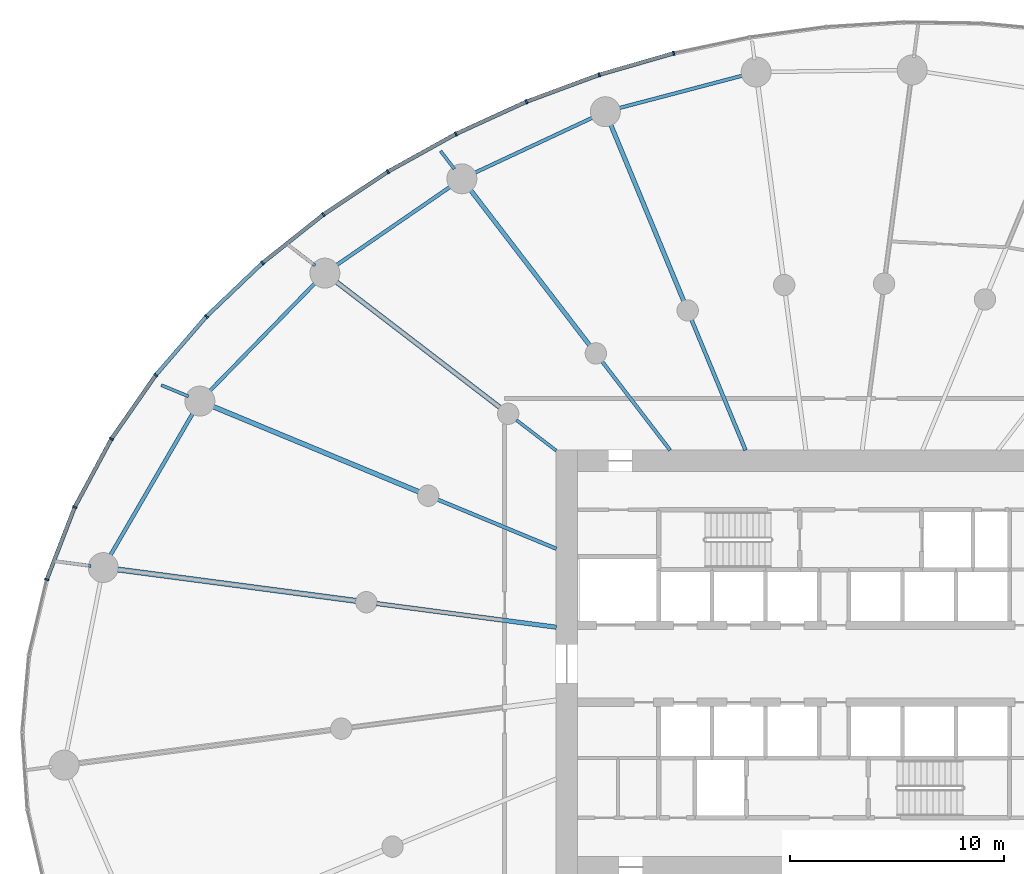
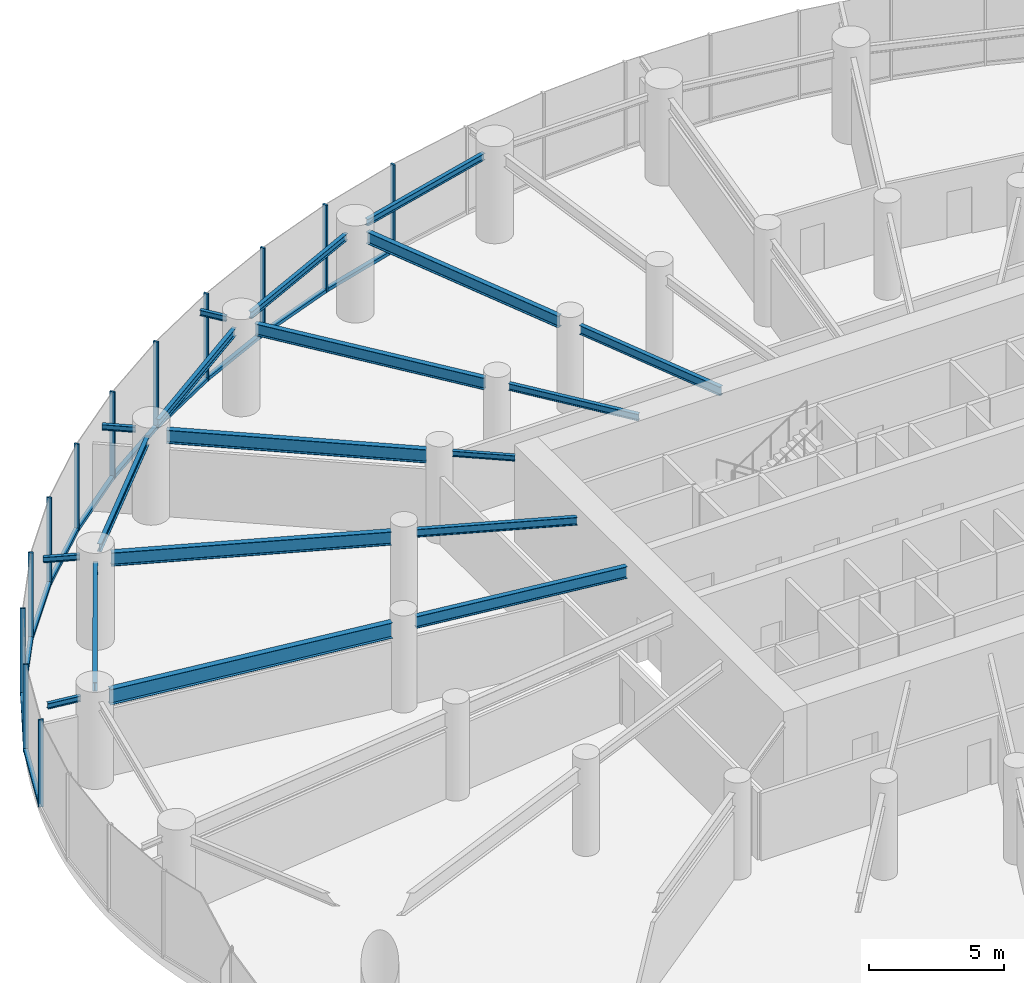
# One storey, part 6 of 18: 23 members, 19 beams, 3 elements without a shape of their own.
"""IFC4 building model written with IfcOpenShell, lengths in metres."""

from ifc_helpers import new_model, si_unit, direction, frame, origin, origin_2d, place, context, subcontext, project, spatial, rectangle, i_section, extrude, source, transform, mapped, material, layer, layer_set, material_profile, profile_set, type_object, element, aggregate, save


model = new_model("IFC4")

# Units and contexts
model_context = context("Model", 3, precision=1e-05, world=origin(), true_north=direction((0.0, 1.0)))
body_context = subcontext(model_context, "Body", "Model", "MODEL_VIEW")
ifc_project = project(units=[si_unit("LENGTHUNIT", "METRE"), si_unit("AREAUNIT", "SQUARE_METRE"), si_unit("VOLUMEUNIT", "CUBIC_METRE"), si_unit("PLANEANGLEUNIT", "RADIAN"), si_unit("MASSUNIT", "GRAM", prefix="KILO")], contexts=[model_context])

# Site, building, storey
site_placement = place(None, origin())
site = spatial("IfcSite", under=ifc_project, at=site_placement, CompositionType="ELEMENT")
building_placement = place(site_placement, origin())
building = spatial("IfcBuilding", under=site, at=building_placement, Name="Spindrift Exchange Tower", CompositionType="ELEMENT")
storey_placement = place(building_placement, frame((0.0, 0.0, 62.199951171875)))
storey = spatial("IfcBuildingStorey", under=building, at=storey_placement, Name="L14", CompositionType="ELEMENT", Elevation=62.199951171875)

# Beams
ifc_material_1 = material(Name="Steel Grade 300", Category="steel")
ifc_material_profile_1 = material_profile(ifc_material_1, i_section(OverallWidth=0.177978515625, OverallDepth=0.406005859375, WebThickness=0.0078125, FlangeThickness=0.0126953125, FilletRadius=0.013916015625, at=origin_2d()), Name="410UB59.7")
ifc_profile_set_1 = profile_set([ifc_material_profile_1], Name="Steel Grade 300")
beam_type_1 = type_object("IfcBeamType", Name="Floor Beam 410UB59.7 Steel Grade 300", PredefinedType="BEAM", material=ifc_profile_set_1)
shared_shape_1 = source(origin(), body_context, "Body", "SweptSolid", [
    extrude(i_section(OverallWidth=0.177978515625, OverallDepth=0.406005859375, WebThickness=0.0078125, FlangeThickness=0.0126953125, FilletRadius=0.013916015625, at=origin_2d()), origin(), (0.0, 0.0, 1.0), 6.594482421875),
])
beam_1_placement = place(storey_placement, frame((47.865478515625, 57.9814453125, 3.7470703125), z_axis=(-0.382692929746, 0.92387559851, 0.0), x_axis=(-0.92387559851, -0.382692929746, 0.0)))
element("IfcBeam", 1, at=beam_1_placement, inside=storey, type_object=beam_type_1, Name="L14 radial beam R08A", PredefinedType="BEAM", context=body_context, shape_type="MappedRepresentation", body=[
    mapped(shared_shape_1, transform((0.0, 0.0, 0.0), scale=1.0)),
])
ifc_material_profile_2 = material_profile(ifc_material_1, i_section(OverallWidth=0.208984375, OverallDepth=0.532958984375, WebThickness=0.01025390625, FlangeThickness=0.015625, FilletRadius=0.013916015625, at=origin_2d()), Name="530UB92.4")
ifc_profile_set_2 = profile_set([ifc_material_profile_2], Name="Steel Grade 300")
beam_type_2 = type_object("IfcBeamType", Name="Floor Beam 530UB92.4 Steel Grade 300", PredefinedType="BEAM", material=ifc_profile_set_2)
shared_shape_2 = source(origin(), body_context, "Body", "SweptSolid", [
    extrude(i_section(OverallWidth=0.208984375, OverallDepth=0.532958984375, WebThickness=0.01025390625, FlangeThickness=0.015625, FilletRadius=0.013916015625, at=origin_2d()), origin(), (0.0, 0.0, 1.0), 8.99658203125),
])
beam_2_placement = place(storey_placement, frame((44.974609375, 64.9609375, 3.68359375), z_axis=(-0.382685731718, 0.923878580085, 0.0), x_axis=(-0.923878580085, -0.382685731718, 0.0)))
element("IfcBeam", 2, at=beam_2_placement, inside=storey, type_object=beam_type_2, Name="L14 radial beam R08B", PredefinedType="BEAM", context=body_context, shape_type="MappedRepresentation", body=[
    mapped(shared_shape_2, transform((0.0, 0.0, 0.0), scale=1.0)),
])
ifc_material_profile_3 = material_profile(ifc_material_1, i_section(OverallWidth=0.1650390625, OverallDepth=0.303955078125, WebThickness=0.006103515625, FlangeThickness=0.01025390625, FilletRadius=0.011474609375, at=origin_2d()), Name="310UB40.4")
ifc_profile_set_3 = profile_set([ifc_material_profile_3], Name="Steel Grade 300")
beam_type_3 = type_object("IfcBeamType", Name="Floor Beam 310UB40.4 Steel Grade 300", PredefinedType="BEAM", material=ifc_profile_set_3)
shared_shape_3 = source(origin(), body_context, "Body", "SweptSolid", [
    extrude(i_section(OverallWidth=0.1650390625, OverallDepth=0.303955078125, WebThickness=0.006103515625, FlangeThickness=0.01025390625, FilletRadius=0.011474609375, at=origin_2d()), origin(), (0.0, 0.0, 1.0), 5.224609375),
])
beam_3_placement = place(storey_placement, frame((44.3388671875, 57.984130859375, 3.798095703125), z_axis=(-0.608741499316, 0.793368632485, 0.0), x_axis=(-0.793368632485, -0.608741499316, 0.0)))
element("IfcBeam", 3, at=beam_3_placement, inside=storey, type_object=beam_type_3, Name="L14 radial beam R09A", PredefinedType="BEAM", context=body_context, shape_type="MappedRepresentation", body=[
    mapped(shared_shape_3, transform((0.0, 0.0, 0.0), scale=1.0)),
])
shared_shape_4 = source(origin(), body_context, "Body", "SweptSolid", [
    extrude(i_section(OverallWidth=0.208984375, OverallDepth=0.532958984375, WebThickness=0.01025390625, FlangeThickness=0.015625, FilletRadius=0.013916015625, at=origin_2d()), origin(), (0.0, 0.0, 1.0), 9.227783203125),
])
beam_4_placement = place(storey_placement, frame((40.573974609375, 62.890625, 3.68359375), z_axis=(-0.608747534474, 0.79336400175, 0.0), x_axis=(-0.79336400175, -0.608747534474, 0.0)))
element("IfcBeam", 4, at=beam_4_placement, inside=storey, type_object=beam_type_2, Name="L14 radial beam R09B", PredefinedType="BEAM", context=body_context, shape_type="MappedRepresentation", body=[
    mapped(shared_shape_4, transform((0.0, 0.0, 0.0), scale=1.0)),
])
ifc_material_profile_4 = material_profile(ifc_material_1, i_section(OverallWidth=0.14599609375, OverallDepth=0.251953125, WebThickness=0.006103515625, FlangeThickness=0.008544921875, FilletRadius=0.011962890625, at=origin_2d()), Name="250UB31.4")
ifc_profile_set_4 = profile_set([ifc_material_profile_4], Name="Steel Grade 300")
beam_type_4 = type_object("IfcBeamType", Name="Floor Beam 250UB31.4 Steel Grade 300", PredefinedType="BEAM", material=ifc_profile_set_4)
shared_shape_5 = source(origin(), body_context, "Body", "SweptSolid", [
    extrude(i_section(OverallWidth=0.14599609375, OverallDepth=0.251953125, WebThickness=0.006103515625, FlangeThickness=0.008544921875, FilletRadius=0.011962890625, at=origin_2d()), origin(), (0.0, 0.0, 1.0), 2.353759765625),
])
beam_5_placement = place(storey_placement, frame((39.015869140625, 57.963134765625, 3.823974609375), z_axis=(-0.793367573265, 0.608742879787, 0.0), x_axis=(-0.608742879787, -0.793367573265, 0.0)))
element("IfcBeam", 5, at=beam_5_placement, inside=storey, type_object=beam_type_4, Name="L14 radial beam R10A", PredefinedType="BEAM", context=body_context, shape_type="MappedRepresentation", body=[
    mapped(shared_shape_5, transform((0.0, 0.0, 0.0), scale=1.0)),
])
ifc_material_profile_5 = material_profile(ifc_material_1, i_section(OverallWidth=0.22802734375, OverallDepth=0.60693359375, WebThickness=0.01123046875, FlangeThickness=0.017333984375, FilletRadius=0.013916015625, at=origin_2d()), Name="610UB113")
ifc_profile_set_5 = profile_set([ifc_material_profile_5], Name="Steel Grade 300")
beam_type_5 = type_object("IfcBeamType", Name="Floor Beam 610UB113 Steel Grade 300", PredefinedType="BEAM", material=ifc_profile_set_5)
shared_shape_6 = source(origin(), body_context, "Body", "SweptSolid", [
    extrude(i_section(OverallWidth=0.22802734375, OverallDepth=0.60693359375, WebThickness=0.01123046875, FlangeThickness=0.017333984375, FilletRadius=0.013916015625, at=origin_2d()), origin(), (0.0, 0.0, 1.0), 9.73974609375),
])
beam_6_placement = place(storey_placement, frame((36.38671875, 59.98046875, 3.646484375), z_axis=(-0.793352119621, 0.608763019814, 0.0), x_axis=(-0.608763019814, -0.793352119621, 0.0)))
element("IfcBeam", 6, at=beam_6_placement, inside=storey, type_object=beam_type_5, Name="L14 radial beam R10B", PredefinedType="BEAM", context=body_context, shape_type="MappedRepresentation", body=[
    mapped(shared_shape_6, transform((0.0, 0.0, 0.0), scale=1.0)),
])
ifc_material_profile_6 = material_profile(ifc_material_1, i_section(OverallWidth=0.172119140625, OverallDepth=0.35888671875, WebThickness=0.008056640625, FlangeThickness=0.012939453125, FilletRadius=0.013916015625, at=origin_2d()), Name="360UB56.7")
ifc_profile_set_6 = profile_set([ifc_material_profile_6], Name="Steel Grade 300")
beam_type_6 = type_object("IfcBeamType", Name="Floor Beam 360UB56.7 Steel Grade 300", PredefinedType="BEAM", material=ifc_profile_set_6)
shared_shape_7 = source(origin(), body_context, "Body", "SweptSolid", [
    extrude(i_section(OverallWidth=0.172119140625, OverallDepth=0.35888671875, WebThickness=0.008056640625, FlangeThickness=0.012939453125, FilletRadius=0.013916015625, at=origin_2d()), origin(), (0.0, 0.0, 1.0), 6.004638671875),
])
beam_7_placement = place(storey_placement, frame((39.0185546875, 53.377197265625, 3.7705078125), z_axis=(-0.923882044911, 0.38267736684, 0.0), x_axis=(-0.38267736684, -0.923882044911, 0.0)))
element("IfcBeam", 7, at=beam_7_placement, inside=storey, type_object=beam_type_6, Name="L14 radial beam R11A", PredefinedType="BEAM", context=body_context, shape_type="MappedRepresentation", body=[
    mapped(shared_shape_7, transform((0.0, 0.0, 0.0), scale=1.0)),
])
shared_shape_8 = source(origin(), body_context, "Body", "SweptSolid", [
    extrude(i_section(OverallWidth=0.22802734375, OverallDepth=0.60693359375, WebThickness=0.01123046875, FlangeThickness=0.017333984375, FilletRadius=0.013916015625, at=origin_2d()), origin(), (0.0, 0.0, 1.0), 10.4912109375),
])
beam_8_placement = place(storey_placement, frame((32.583984375, 56.04248046875, 3.646484375), z_axis=(-0.923885231151, 0.382669674342, 0.0), x_axis=(-0.382669674342, -0.923885231151, 0.0)))
element("IfcBeam", 8, at=beam_8_placement, inside=storey, type_object=beam_type_5, Name="L14 radial beam R11B", PredefinedType="BEAM", context=body_context, shape_type="MappedRepresentation", body=[
    mapped(shared_shape_8, transform((0.0, 0.0, 0.0), scale=1.0)),
])
shared_shape_9 = source(origin(), body_context, "Body", "SweptSolid", [
    extrude(i_section(OverallWidth=0.208984375, OverallDepth=0.532958984375, WebThickness=0.01025390625, FlangeThickness=0.015625, FilletRadius=0.013916015625, at=origin_2d()), origin(), (0.0, 0.0, 1.0), 8.4794921875),
])
beam_9_placement = place(storey_placement, frame((39.019775390625, 49.708984375, 3.68359375), z_axis=(-0.991446551951, 0.13051335037, 0.0), x_axis=(-0.13051335037, -0.991446551951, 0.0)))
element("IfcBeam", 9, at=beam_9_placement, inside=storey, type_object=beam_type_2, Name="L14 radial beam R12A", PredefinedType="BEAM", context=body_context, shape_type="MappedRepresentation", body=[
    mapped(shared_shape_9, transform((0.0, 0.0, 0.0), scale=1.0)),
])
ifc_material_profile_7 = material_profile(ifc_material_1, i_section(OverallWidth=0.25, OverallDepth=0.699951171875, WebThickness=0.008056640625, FlangeThickness=0.011962890625, at=origin_2d()), Name="700WB115")
ifc_profile_set_7 = profile_set([ifc_material_profile_7], Name="Steel Grade 300")
beam_type_7 = type_object("IfcBeamType", Name="Floor Beam 700WB115 Steel Grade 300", PredefinedType="BEAM", material=ifc_profile_set_7)
shared_shape_10 = source(origin(), body_context, "Body", "SweptSolid", [
    extrude(i_section(OverallWidth=0.25, OverallDepth=0.699951171875, WebThickness=0.008056640625, FlangeThickness=0.011962890625, at=origin_2d()), origin(), (0.0, 0.0, 1.0), 11.34423828125),
])
beam_10_placement = place(storey_placement, frame((29.660888671875, 50.94091796875, 3.60009765625), z_axis=(-0.991444770187, 0.130526884848, 0.0), x_axis=(-0.130526884848, -0.991444770187, 0.0)))
element("IfcBeam", 10, at=beam_10_placement, inside=storey, type_object=beam_type_7, Name="L14 radial beam R12B", PredefinedType="BEAM", context=body_context, shape_type="MappedRepresentation", body=[
    mapped(shared_shape_10, transform((0.0, 0.0, 0.0), scale=1.0)),
])
ifc_material_profile_8 = material_profile(ifc_material_1, i_section(OverallWidth=0.1650390625, OverallDepth=0.303955078125, WebThickness=0.006103515625, FlangeThickness=0.01025390625, FilletRadius=0.011474609375, at=origin_2d()), Name="310UB40.4")
ifc_profile_set_8 = profile_set([ifc_material_profile_8], Name="Steel Grade 300")
beam_type_8 = type_object("IfcBeamType", Name="Edge Beam 310UB40.4 Steel Grade 300", PredefinedType="SPANDREL", material=ifc_profile_set_8)
shared_shape_11 = source(origin(), body_context, "Body", "SweptSolid", [
    extrude(i_section(OverallWidth=0.1650390625, OverallDepth=0.303955078125, WebThickness=0.006103515625, FlangeThickness=0.01025390625, FilletRadius=0.011474609375, at=origin_2d()), origin(), (0.0, 0.0, 1.0), 6.128173828125),
])
beam_11_placement = place(storey_placement, frame((47.79736328125, 75.513916015625, 3.798095703125), z_axis=(-0.967147261855, -0.254216785216, 0.0), x_axis=(0.254216785216, -0.967147261855, 0.0)))
element("IfcBeam", 11, at=beam_11_placement, inside=storey, type_object=beam_type_8, Name="L14 edge beam E07", PredefinedType="SPANDREL", context=body_context, shape_type="MappedRepresentation", body=[
    mapped(shared_shape_11, transform((0.0, 0.0, 0.0), scale=1.0)),
])
shared_shape_12 = source(origin(), body_context, "Body", "SweptSolid", [
    extrude(i_section(OverallWidth=0.1650390625, OverallDepth=0.303955078125, WebThickness=0.006103515625, FlangeThickness=0.01025390625, FilletRadius=0.011474609375, at=origin_2d()), origin(), (0.0, 0.0, 1.0), 6.243408203125),
])
beam_12_placement = place(storey_placement, frame((40.7841796875, 73.56298828125, 3.798095703125), z_axis=(-0.905791146607, -0.423724437257, 0.0), x_axis=(0.423724437257, -0.905791146607, 0.0)))
element("IfcBeam", 12, at=beam_12_placement, inside=storey, type_object=beam_type_8, Name="L14 edge beam E08", PredefinedType="SPANDREL", context=body_context, shape_type="MappedRepresentation", body=[
    mapped(shared_shape_12, transform((0.0, 0.0, 0.0), scale=1.0)),
])
ifc_material_profile_9 = material_profile(ifc_material_1, i_section(OverallWidth=0.172119140625, OverallDepth=0.35888671875, WebThickness=0.008056640625, FlangeThickness=0.012939453125, FilletRadius=0.013916015625, at=origin_2d()), Name="360UB56.7")
ifc_profile_set_9 = profile_set([ifc_material_profile_9], Name="Steel Grade 300")
beam_type_9 = type_object("IfcBeamType", Name="Edge Beam 360UB56.7 Steel Grade 300", PredefinedType="SPANDREL", material=ifc_profile_set_9)
shared_shape_13 = source(origin(), body_context, "Body", "SweptSolid", [
    extrude(i_section(OverallWidth=0.172119140625, OverallDepth=0.35888671875, WebThickness=0.008056640625, FlangeThickness=0.012939453125, FilletRadius=0.013916015625, at=origin_2d()), origin(), (0.0, 0.0, 1.0), 6.614990234375),
])
beam_13_placement = place(storey_placement, frame((34.125732421875, 70.3427734375, 3.7705078125), z_axis=(-0.823690708835, -0.567039342708, 0.0), x_axis=(0.567039342708, -0.823690708835, 0.0)))
element("IfcBeam", 13, at=beam_13_placement, inside=storey, type_object=beam_type_9, Name="L14 edge beam E09", PredefinedType="SPANDREL", context=body_context, shape_type="MappedRepresentation", body=[
    mapped(shared_shape_13, transform((0.0, 0.0, 0.0), scale=1.0)),
])
shared_shape_14 = source(origin(), body_context, "Body", "SweptSolid", [
    extrude(i_section(OverallWidth=0.172119140625, OverallDepth=0.35888671875, WebThickness=0.008056640625, FlangeThickness=0.012939453125, FilletRadius=0.013916015625, at=origin_2d()), origin(), (0.0, 0.0, 1.0), 7.2041015625),
])
beam_14_placement = place(storey_placement, frame((27.794189453125, 65.847900390625, 3.7705078125), z_axis=(-0.698703626006, -0.715411240481, 0.0), x_axis=(0.715411240481, -0.698703626006, 0.0)))
element("IfcBeam", 14, at=beam_14_placement, inside=storey, type_object=beam_type_9, Name="L14 edge beam E10", PredefinedType="SPANDREL", context=body_context, shape_type="MappedRepresentation", body=[
    mapped(shared_shape_14, transform((0.0, 0.0, 0.0), scale=1.0)),
])
ifc_material_profile_10 = material_profile(ifc_material_1, i_section(OverallWidth=0.177978515625, OverallDepth=0.406005859375, WebThickness=0.0078125, FlangeThickness=0.0126953125, FilletRadius=0.013916015625, at=origin_2d()), Name="410UB59.7")
ifc_profile_set_10 = profile_set([ifc_material_profile_10], Name="Steel Grade 300")
beam_type_10 = type_object("IfcBeamType", Name="Edge Beam 410UB59.7 Steel Grade 300", PredefinedType="SPANDREL", material=ifc_profile_set_10)
shared_shape_15 = source(origin(), body_context, "Body", "SweptSolid", [
    extrude(i_section(OverallWidth=0.177978515625, OverallDepth=0.406005859375, WebThickness=0.0078125, FlangeThickness=0.0126953125, FilletRadius=0.013916015625, at=origin_2d()), origin(), (0.0, 0.0, 1.0), 7.837646484375),
])
beam_15_placement = place(storey_placement, frame((22.064208984375, 59.777587890625, 3.7470703125), z_axis=(-0.50198145655, -0.864878382942, 0.0), x_axis=(0.864878382942, -0.50198145655, 0.0)))
element("IfcBeam", 15, at=beam_15_placement, inside=storey, type_object=beam_type_10, Name="L14 edge beam E11", PredefinedType="SPANDREL", context=body_context, shape_type="MappedRepresentation", body=[
    mapped(shared_shape_15, transform((0.0, 0.0, 0.0), scale=1.0)),
])
ifc_material_profile_11 = material_profile(ifc_material_1, i_section(OverallWidth=0.14599609375, OverallDepth=0.251953125, WebThickness=0.006103515625, FlangeThickness=0.008544921875, FilletRadius=0.011962890625, at=origin_2d()), Name="250UB31.4")
ifc_profile_set_11 = profile_set([ifc_material_profile_11], Name="Steel Grade 300")
beam_type_11 = type_object("IfcBeamType", Name="Cantilever Beam 250UB31.4 Steel Grade 300", PredefinedType="BEAM", material=ifc_profile_set_11)
shared_shape_16 = source(origin(), body_context, "Body", "SweptSolid", [
    extrude(i_section(OverallWidth=0.14599609375, OverallDepth=0.251953125, WebThickness=0.006103515625, FlangeThickness=0.008544921875, FilletRadius=0.011962890625, at=origin_2d()), origin(), (0.0, 0.0, 1.0), 1.0615234375),
])
beam_16_placement = place(storey_placement, frame((34.250244140625, 71.1318359375, 3.823974609375), z_axis=(-0.608721173943, 0.793384227467, 0.0), x_axis=(-0.793384227467, -0.608721173943, 0.0)))
element("IfcBeam", 16, at=beam_16_placement, inside=storey, type_object=beam_type_11, Name="L14 cantilever beam R09T", PredefinedType="BEAM", context=body_context, shape_type="MappedRepresentation", body=[
    mapped(shared_shape_16, transform((0.0, 0.0, 0.0), scale=1.0)),
])
shared_shape_17 = source(origin(), body_context, "Body", "SweptSolid", [
    extrude(i_section(OverallWidth=0.14599609375, OverallDepth=0.251953125, WebThickness=0.006103515625, FlangeThickness=0.008544921875, FilletRadius=0.011962890625, at=origin_2d()), origin(), (0.0, 0.0, 1.0), 1.251708984375),
])
beam_17_placement = place(storey_placement, frame((27.7392578125, 66.615966796875, 3.823974609375), z_axis=(-0.793399134093, 0.608701744716, 0.0), x_axis=(-0.608701744716, -0.793399134093, 0.0)))
element("IfcBeam", 17, at=beam_17_placement, inside=storey, type_object=beam_type_11, Name="L14 cantilever beam R10T", PredefinedType="BEAM", context=body_context, shape_type="MappedRepresentation", body=[
    mapped(shared_shape_17, transform((0.0, 0.0, 0.0), scale=1.0)),
])
shared_shape_18 = source(origin(), body_context, "Body", "SweptSolid", [
    extrude(i_section(OverallWidth=0.14599609375, OverallDepth=0.251953125, WebThickness=0.006103515625, FlangeThickness=0.008544921875, FilletRadius=0.011962890625, at=origin_2d()), origin(), (0.0, 0.0, 1.0), 1.374267578125),
])
beam_18_placement = place(storey_placement, frame((21.819580078125, 60.501220703125, 3.823974609375), z_axis=(-0.92389992631, 0.382634193669, 0.0), x_axis=(-0.382634193669, -0.92389992631, 0.0)))
element("IfcBeam", 18, at=beam_18_placement, inside=storey, type_object=beam_type_11, Name="L14 cantilever beam R11T", PredefinedType="BEAM", context=body_context, shape_type="MappedRepresentation", body=[
    mapped(shared_shape_18, transform((0.0, 0.0, 0.0), scale=1.0)),
])
shared_shape_19 = source(origin(), body_context, "Body", "SweptSolid", [
    extrude(i_section(OverallWidth=0.14599609375, OverallDepth=0.251953125, WebThickness=0.006103515625, FlangeThickness=0.008544921875, FilletRadius=0.011962890625, at=origin_2d()), origin(), (0.0, 0.0, 1.0), 1.32421875),
])
beam_19_placement = place(storey_placement, frame((17.263916015625, 52.572998046875, 3.823974609375), z_axis=(-0.991445508648, 0.13052127559, 0.0), x_axis=(-0.13052127559, -0.991445508648, 0.0)))
element("IfcBeam", 19, at=beam_19_placement, inside=storey, type_object=beam_type_11, Name="L14 cantilever beam R12T", PredefinedType="BEAM", context=body_context, shape_type="MappedRepresentation", body=[
    mapped(shared_shape_19, transform((0.0, 0.0, 0.0), scale=1.0)),
])

# Curtain wall, members
ifc_material_2 = material(Name="Fritted laminated glass with bronze frame", Category="glass")
ifc_layer = layer(ifc_material_2, 0.199951171875)
ifc_layer_set = layer_set([ifc_layer], Name="ZONE 1 BRONZE FRITTED WALL")
curtain_wall_type = type_object("IfcCurtainWallType", Name="ZONE 1 BRONZE FRITTED WALL", PredefinedType="NOTDEFINED", material=ifc_layer_set)
curtain_wall_1_placement = place(storey_placement, origin())
curtain_wall_1 = element("IfcCurtainWall", 20, at=curtain_wall_1_placement, inside=storey, type_object=curtain_wall_type, Name="L14 Zone 1 Bronze Fritted Wall run 3", PredefinedType="NOTDEFINED")
ifc_material_3 = material(Name="Bronze anodised aluminium", Category="aluminium")
ifc_material_profile_12 = material_profile(ifc_material_3, rectangle(XDim=0.080078125, YDim=0.199951171875, at=origin_2d()), Name="ZONE 1 BRONZE FRITTED WALL MULLION 80X200")
ifc_profile_set_12 = profile_set([ifc_material_profile_12], Name="Bronze anodised aluminium")
member_type_1 = type_object("IfcMemberType", Name="ZONE 1 BRONZE FRITTED WALL MULLION 80X200", PredefinedType="MULLION", material=ifc_profile_set_12)
shared_shape_20 = source(origin(), body_context, "Body", "SweptSolid", [
    extrude(rectangle(XDim=0.080078125, YDim=0.199951171875, at=origin_2d()), origin(), (0.0, 0.0, 1.0), 3.949951171875),
])
member_1_placement = place(storey_placement, frame((44.504638671875, 76.537841796875, 0.0), z_axis=(0.0, 0.0, 1.0), x_axis=(-0.970297330695, -0.241915460536, 0.0)))
member_1 = element("IfcMember", 21, at=member_1_placement, type_object=member_type_1, Name="L14 mullion CW-1.16", PredefinedType="MULLION", context=body_context, shape_type="MappedRepresentation", body=[
    mapped(shared_shape_20, transform((0.0, 0.0, 0.0), scale=1.0)),
])
member_2_placement = place(storey_placement, frame((41.019287109375, 75.53271484375, 0.0), z_axis=(0.0, 0.0, 1.0), x_axis=(-0.950018102328, -0.312194819382, 0.0)))
member_2 = element("IfcMember", 22, at=member_2_placement, type_object=member_type_1, Name="L14 mullion CW-1.17", PredefinedType="MULLION", context=body_context, shape_type="MappedRepresentation", body=[
    mapped(shared_shape_20, transform((0.0, 0.0, 0.0), scale=1.0)),
])
member_3_placement = place(storey_placement, frame((37.616943359375, 74.2744140625, 0.0), z_axis=(0.0, 0.0, 1.0), x_axis=(-0.924268034023, -0.381744156843, 0.0)))
member_3 = element("IfcMember", 23, at=member_3_placement, type_object=member_type_1, Name="L14 mullion CW-1.18", PredefinedType="MULLION", context=body_context, shape_type="MappedRepresentation", body=[
    mapped(shared_shape_20, transform((0.0, 0.0, 0.0), scale=1.0)),
])

curtain_wall_2_placement = place(storey_placement, origin())
curtain_wall_2 = element("IfcCurtainWall", 24, at=curtain_wall_2_placement, inside=storey, type_object=curtain_wall_type, Name="L14 Zone 1 Bronze Fritted Wall run 4", PredefinedType="NOTDEFINED")
member_4_placement = place(storey_placement, frame((34.318603515625, 72.76513671875, 0.0), z_axis=(0.0, 0.0, 1.0), x_axis=(-0.892593279652, -0.450862769721, 0.0)))
member_4 = element("IfcMember", 25, at=member_4_placement, type_object=member_type_1, Name="L14 mullion CW-1.19", PredefinedType="MULLION", context=body_context, shape_type="MappedRepresentation", body=[
    mapped(shared_shape_20, transform((0.0, 0.0, 0.0), scale=1.0)),
])
member_5_placement = place(storey_placement, frame((31.146484375, 71.006103515625, 0.0), z_axis=(0.0, 0.0, 1.0), x_axis=(-0.854331065329, -0.51972918988, 0.0)))
member_5 = element("IfcMember", 26, at=member_5_placement, type_object=member_type_1, Name="L14 mullion CW-1.20", PredefinedType="MULLION", context=body_context, shape_type="MappedRepresentation", body=[
    mapped(shared_shape_20, transform((0.0, 0.0, 0.0), scale=1.0)),
])
member_6_placement = place(storey_placement, frame((28.1259765625, 68.997802734375, 0.0), z_axis=(0.0, 0.0, 1.0), x_axis=(-0.808549821928, -0.588427723225, 0.0)))
member_6 = element("IfcMember", 27, at=member_6_placement, type_object=member_type_1, Name="L14 mullion CW-1.21", PredefinedType="MULLION", context=body_context, shape_type="MappedRepresentation", body=[
    mapped(shared_shape_20, transform((0.0, 0.0, 0.0), scale=1.0)),
])
member_7_placement = place(storey_placement, frame((25.2861328125, 66.7412109375, 0.0), z_axis=(0.0, 0.0, 1.0), x_axis=(-0.754073824215, -0.656789667728, 0.0)))
member_7 = element("IfcMember", 28, at=member_7_placement, type_object=member_type_1, Name="L14 mullion CW-1.22", PredefinedType="MULLION", context=body_context, shape_type="MappedRepresentation", body=[
    mapped(shared_shape_20, transform((0.0, 0.0, 0.0), scale=1.0)),
])
member_8_placement = place(storey_placement, frame((22.661376953125, 64.23828125, 0.0), z_axis=(0.0, 0.0, 1.0), x_axis=(-0.689465371152, -0.724318646717, 0.0)))
member_8 = element("IfcMember", 29, at=member_8_placement, type_object=member_type_1, Name="L14 mullion CW-1.23", PredefinedType="MULLION", context=body_context, shape_type="MappedRepresentation", body=[
    mapped(shared_shape_20, transform((0.0, 0.0, 0.0), scale=1.0)),
])
member_9_placement = place(storey_placement, frame((20.291015625, 61.493408203125, 0.0), z_axis=(0.0, 0.0, 1.0), x_axis=(-0.613023943021, -0.790064329838, 0.0)))
member_9 = element("IfcMember", 30, at=member_9_placement, type_object=member_type_1, Name="L14 mullion CW-1.24", PredefinedType="MULLION", context=body_context, shape_type="MappedRepresentation", body=[
    mapped(shared_shape_20, transform((0.0, 0.0, 0.0), scale=1.0)),
])

curtain_wall_3_placement = place(storey_placement, origin())
curtain_wall_3 = element("IfcCurtainWall", 31, at=curtain_wall_3_placement, inside=storey, type_object=curtain_wall_type, Name="L14 Zone 1 Bronze Fritted Wall run 5", PredefinedType="NOTDEFINED")
member_10_placement = place(storey_placement, frame((18.22119140625, 58.515869140625, 0.0), z_axis=(0.0, 0.0, 1.0), x_axis=(-0.52295168164, -0.852362328279, 0.0)))
member_10 = element("IfcMember", 32, at=member_10_placement, type_object=member_type_1, Name="L14 mullion CW-1.25", PredefinedType="MULLION", context=body_context, shape_type="MappedRepresentation", body=[
    mapped(shared_shape_20, transform((0.0, 0.0, 0.0), scale=1.0)),
])
member_11_placement = place(storey_placement, frame((16.50439453125, 55.322021484375, 0.0), z_axis=(0.0, 0.0, 1.0), x_axis=(-0.417634714525, -0.908615014857, 0.0)))
member_11 = element("IfcMember", 33, at=member_11_placement, type_object=member_type_1, Name="L14 mullion CW-1.26", PredefinedType="MULLION", context=body_context, shape_type="MappedRepresentation", body=[
    mapped(shared_shape_20, transform((0.0, 0.0, 0.0), scale=1.0)),
])
member_12_placement = place(storey_placement, frame((15.198486328125, 51.939697265625, 0.0), z_axis=(0.0, 0.0, 1.0), x_axis=(-0.296185539639, -0.955130423612, 0.0)))
member_12 = element("IfcMember", 34, at=member_12_placement, type_object=member_type_1, Name="L14 mullion CW-1.27", PredefinedType="MULLION", context=body_context, shape_type="MappedRepresentation", body=[
    mapped(shared_shape_20, transform((0.0, 0.0, 0.0), scale=1.0)),
])

# Member
ifc_material_profile_13 = material_profile(ifc_material_3, rectangle(XDim=0.179931640625, YDim=0.14990234375, at=origin_2d()), Name="ZONE 1 BRONZE FRITTED WALL TRANSOM 180X150")
ifc_profile_set_13 = profile_set([ifc_material_profile_13], Name="Bronze anodised aluminium")
member_type_2 = type_object("IfcMemberType", Name="ZONE 1 BRONZE FRITTED WALL TRANSOM 180X150", PredefinedType="USERDEFINED", material=ifc_profile_set_13)
shared_shape_21 = source(origin(), body_context, "Body", "SweptSolid", [
    extrude(rectangle(XDim=0.179931640625, YDim=0.14990234375, at=origin_2d()), origin(), (0.0, 0.0, 1.0), 3.546875),
])
member_13_placement = place(storey_placement, frame((28.094482421875, 68.972900390625, 0.074951171875), z_axis=(-0.782886008629, -0.622165168981, 0.0), x_axis=(0.622165168981, -0.782886008629, 0.0)))
member_13 = element("IfcMember", 35, at=member_13_placement, type_object=member_type_2, Name="L14 transom CW-1.21", ObjectType="TRANSOM", PredefinedType="USERDEFINED", context=body_context, shape_type="MappedRepresentation", body=[
    mapped(shared_shape_21, transform((0.0, 0.0, 0.0), scale=1.0)),
])

member_14_placement = place(storey_placement, frame((25.25732421875, 66.713623046875, 0.074951171875), z_axis=(-0.723702367427, -0.690112225207, 0.0), x_axis=(0.690112225207, -0.723702367427, 0.0)))
member_14 = element("IfcMember", 36, at=member_14_placement, type_object=member_type_2, Name="L14 transom CW-1.22", ObjectType="TRANSOM", PredefinedType="USERDEFINED", context=body_context, shape_type="MappedRepresentation", body=[
    mapped(shared_shape_21, transform((0.0, 0.0, 0.0), scale=1.0)),
])

shared_shape_22 = source(origin(), body_context, "Body", "SweptSolid", [
    extrude(rectangle(XDim=0.179931640625, YDim=0.14990234375, at=origin_2d()), origin(), (0.0, 0.0, 1.0), 3.54736328125),
])
member_15_placement = place(storey_placement, frame((44.466064453125, 76.526611328125, 0.074951171875), z_axis=(-0.960845793037, -0.277083673288, 0.0), x_axis=(0.277083673288, -0.960845793037, 0.0)))
member_15 = element("IfcMember", 37, at=member_15_placement, type_object=member_type_2, Name="L14 transom CW-1.16", ObjectType="TRANSOM", PredefinedType="USERDEFINED", context=body_context, shape_type="MappedRepresentation", body=[
    mapped(shared_shape_22, transform((0.0, 0.0, 0.0), scale=1.0)),
])

member_16_placement = place(storey_placement, frame((40.981689453125, 75.518798828125, 0.074951171875), z_axis=(-0.937914691254, -0.346866014376, 0.0), x_axis=(0.346866014376, -0.937914691254, 0.0)))
member_16 = element("IfcMember", 38, at=member_16_placement, type_object=member_type_2, Name="L14 transom CW-1.17", ObjectType="TRANSOM", PredefinedType="USERDEFINED", context=body_context, shape_type="MappedRepresentation", body=[
    mapped(shared_shape_22, transform((0.0, 0.0, 0.0), scale=1.0)),
])

member_17_placement = place(storey_placement, frame((37.58056640625, 74.2578125, 0.074951171875), z_axis=(-0.909312312844, -0.416114308466, 0.0), x_axis=(0.416114308466, -0.909312312844, 0.0)))
member_17 = element("IfcMember", 39, at=member_17_placement, type_object=member_type_2, Name="L14 transom CW-1.18", ObjectType="TRANSOM", PredefinedType="USERDEFINED", context=body_context, shape_type="MappedRepresentation", body=[
    mapped(shared_shape_22, transform((0.0, 0.0, 0.0), scale=1.0)),
])

aggregate(curtain_wall_1, [member_1, member_15, member_2, member_16, member_3, member_17])

member_18_placement = place(storey_placement, frame((34.28369140625, 72.74560546875, 0.074951171875), z_axis=(-0.874549807842, -0.484935700484, 0.0), x_axis=(0.484935700484, -0.874549807842, 0.0)))
member_18 = element("IfcMember", 40, at=member_18_placement, type_object=member_type_2, Name="L14 transom CW-1.19", ObjectType="TRANSOM", PredefinedType="USERDEFINED", context=body_context, shape_type="MappedRepresentation", body=[
    mapped(shared_shape_22, transform((0.0, 0.0, 0.0), scale=1.0)),
])

shared_shape_23 = source(origin(), body_context, "Body", "SweptSolid", [
    extrude(rectangle(XDim=0.179931640625, YDim=0.14990234375, at=origin_2d()), origin(), (0.0, 0.0, 1.0), 3.547119140625),
])
member_19_placement = place(storey_placement, frame((31.113037109375, 70.98388671875, 0.074951171875), z_axis=(-0.832748501648, -0.553651454439, 0.0), x_axis=(0.553651454439, -0.832748501648, 0.0)))
member_19 = element("IfcMember", 41, at=member_19_placement, type_object=member_type_2, Name="L14 transom CW-1.20", ObjectType="TRANSOM", PredefinedType="USERDEFINED", context=body_context, shape_type="MappedRepresentation", body=[
    mapped(shared_shape_23, transform((0.0, 0.0, 0.0), scale=1.0)),
])

shared_shape_24 = source(origin(), body_context, "Body", "SweptSolid", [
    extrude(rectangle(XDim=0.179931640625, YDim=0.14990234375, at=origin_2d()), origin(), (0.0, 0.0, 1.0), 3.54638671875),
])
member_20_placement = place(storey_placement, frame((20.26806640625, 61.460693359375, 0.074951171875), z_axis=(-0.570705399535, -0.821154886085, 0.0), x_axis=(0.821154886085, -0.570705399535, 0.0)))
member_20 = element("IfcMember", 42, at=member_20_placement, type_object=member_type_2, Name="L14 transom CW-1.24", ObjectType="TRANSOM", PredefinedType="USERDEFINED", context=body_context, shape_type="MappedRepresentation", body=[
    mapped(shared_shape_24, transform((0.0, 0.0, 0.0), scale=1.0)),
])

shared_shape_25 = source(origin(), body_context, "Body", "SweptSolid", [
    extrude(rectangle(XDim=0.179931640625, YDim=0.14990234375, at=origin_2d()), origin(), (0.0, 0.0, 1.0), 3.546630859375),
])
member_21_placement = place(storey_placement, frame((22.63525390625, 64.2080078125, 0.074951171875), z_axis=(-0.653592987434, -0.756846223996, 0.0), x_axis=(0.756846223996, -0.653592987434, 0.0)))
member_21 = element("IfcMember", 43, at=member_21_placement, type_object=member_type_2, Name="L14 transom CW-1.23", ObjectType="TRANSOM", PredefinedType="USERDEFINED", context=body_context, shape_type="MappedRepresentation", body=[
    mapped(shared_shape_25, transform((0.0, 0.0, 0.0), scale=1.0)),
])

aggregate(curtain_wall_2, [member_4, member_18, member_5, member_19, member_6, member_13, member_7, member_14, member_8, member_21, member_9, member_20])

shared_shape_26 = source(origin(), body_context, "Body", "SweptSolid", [
    extrude(rectangle(XDim=0.179931640625, YDim=0.14990234375, at=origin_2d()), origin(), (0.0, 0.0, 1.0), 3.5458984375),
])
member_22_placement = place(storey_placement, frame((18.2021484375, 58.48046875, 0.074951171875), z_axis=(-0.47343042624, -0.880831216244, 0.0), x_axis=(0.880831216244, -0.47343042624, 0.0)))
member_22 = element("IfcMember", 44, at=member_22_placement, type_object=member_type_2, Name="L14 transom CW-1.25", ObjectType="TRANSOM", PredefinedType="USERDEFINED", context=body_context, shape_type="MappedRepresentation", body=[
    mapped(shared_shape_26, transform((0.0, 0.0, 0.0), scale=1.0)),
])

member_23_placement = place(storey_placement, frame((16.489990234375, 55.28466796875, 0.074951171875), z_axis=(-0.360169160527, -0.932887011275, 0.0), x_axis=(0.932887011275, -0.360169160527, 0.0)))
member_23 = element("IfcMember", 45, at=member_23_placement, type_object=member_type_2, Name="L14 transom CW-1.26", ObjectType="TRANSOM", PredefinedType="USERDEFINED", context=body_context, shape_type="MappedRepresentation", body=[
    mapped(shared_shape_26, transform((0.0, 0.0, 0.0), scale=1.0)),
])

aggregate(curtain_wall_3, [member_10, member_22, member_11, member_23, member_12])

save(model, "model.ifc")
